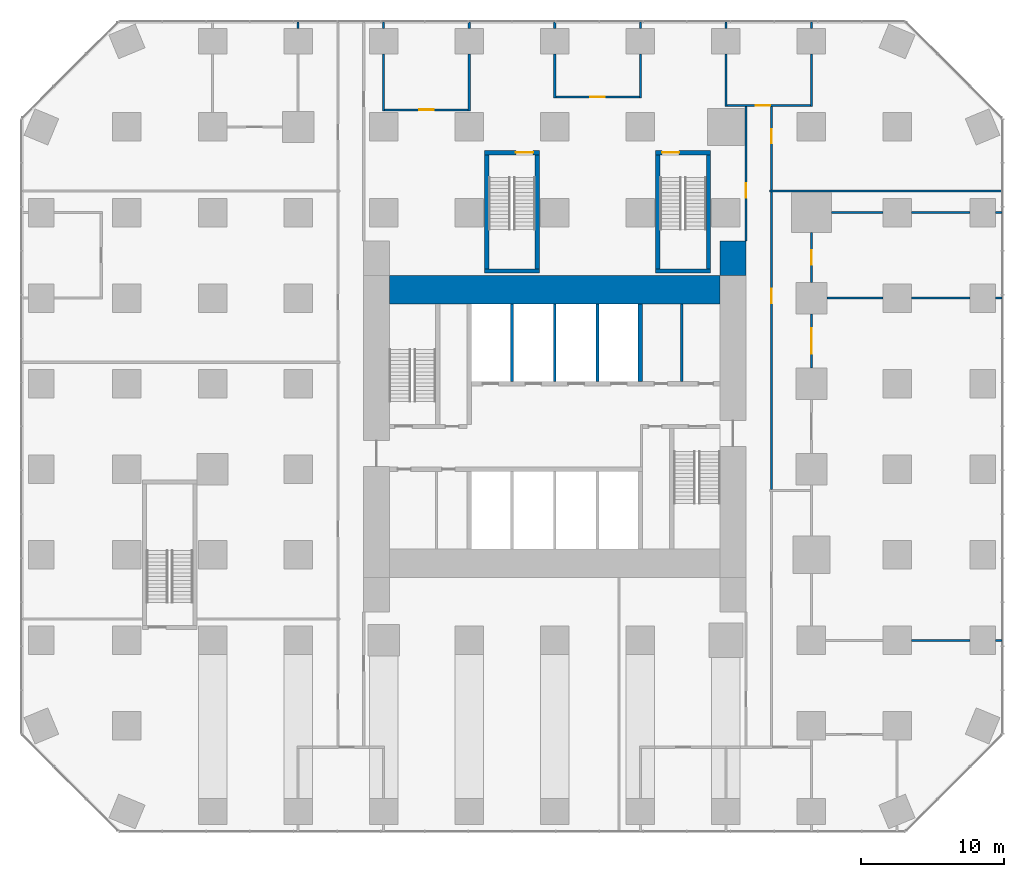
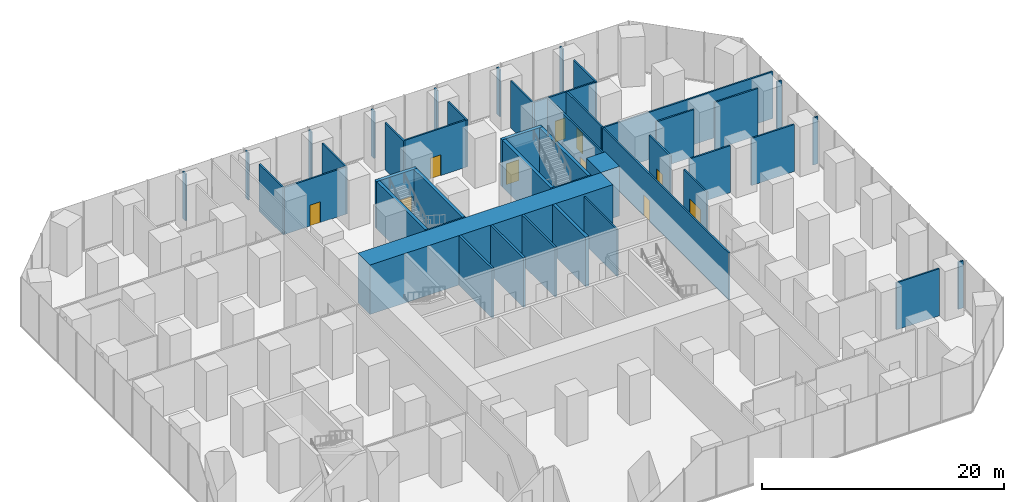
# One storey, part 13 of 15: 45 walls, 10 doors, 10 openings.
"""IFC4 building model written with IfcOpenShell, lengths in metres."""

from ifc_helpers import new_model, si_unit, direction, frame, frame_2d, origin, place, context, subcontext, project, spatial, rectangle, extrude, material, layer, layer_set, type_object, element, fill, save


model = new_model("IFC4")

# Units and contexts
model_context = context("Model", 3, precision=1e-05, world=origin(), true_north=direction((0.0, 1.0)))
body_context = subcontext(model_context, "Body", "Model", "MODEL_VIEW")
ifc_project = project(units=[si_unit("LENGTHUNIT", "METRE"), si_unit("AREAUNIT", "SQUARE_METRE"), si_unit("VOLUMEUNIT", "CUBIC_METRE"), si_unit("PLANEANGLEUNIT", "RADIAN"), si_unit("MASSUNIT", "GRAM", prefix="KILO")], contexts=[model_context])

# Site, building, storey
site_placement = place(None, origin())
site = spatial("IfcSite", under=ifc_project, at=site_placement, CompositionType="ELEMENT")
building_placement = place(site_placement, origin())
building = spatial("IfcBuilding", under=site, at=building_placement, Name="Highveld Stack Headquarters", CompositionType="ELEMENT")
storey_placement = place(building_placement, frame((0.0, 0.0, 6.0)))
storey = spatial("IfcBuildingStorey", under=building, at=storey_placement, Name="L01", CompositionType="ELEMENT", Elevation=6.0)

# Walls
ifc_material_1 = material(Name="Concrete C60/75", Category="concrete")
ifc_layer_1 = layer(ifc_material_1, 2.0)
ifc_layer_set_1 = layer_set([ifc_layer_1], Name="Concrete C60/75")
wall_type_1 = type_object("IfcWallType", Name="CORE WALL 2000 C60/75", PredefinedType="SHEAR", material=ifc_layer_set_1)
wall_1_placement = place(storey_placement, frame((-5.60009765625, 12.60009765625, 0.0), z_axis=(0.0, 0.0, 1.0), x_axis=(1.0, 0.0, 0.0)))
element("IfcWall", 1, at=wall_1_placement, inside=storey, type_object=wall_type_1, Name="Core wall N L01", PredefinedType="SHEAR", context=body_context, shape_type="SweptSolid", body=[
    extrude(rectangle(XDim=23.2001953125, YDim=2.0, at=frame_2d((11.60009765625, 0.0))), origin(), (0.0, 0.0, 1.0), 5.0),
])
ifc_material_2 = material(Name="Concrete C60/75", Category="concrete")
ifc_layer_2 = layer(ifc_material_2, 0.300048828125)
ifc_layer_set_2 = layer_set([ifc_layer_2], Name="Concrete C60/75")
wall_type_2 = type_object("IfcWallType", Name="CORE WALL 300 C60/75", PredefinedType="SHEAR", material=ifc_layer_set_2)
wall_2_placement = place(storey_placement, frame((12.0, 6.14990234375, 0.0), z_axis=(0.0, 0.0, 1.0), x_axis=(0.0, 1.0, 0.0)))
element("IfcWall", 2, at=wall_2_placement, inside=storey, type_object=wall_type_2, Name="Core wall I-X12N L01", PredefinedType="SHEAR", context=body_context, shape_type="SweptSolid", body=[
    extrude(rectangle(XDim=5.4501953125, YDim=0.300048828125, at=frame_2d((2.72509765625, 0.0))), origin(), (0.0, 0.0, 1.0), 5.0),
])
ifc_material_3 = material(Name="Concrete C60/75", Category="concrete")
ifc_layer_3 = layer(ifc_material_3, 1.800048828125)
ifc_layer_set_3 = layer_set([ifc_layer_3], Name="Concrete C60/75")
wall_type_3 = type_object("IfcWallType", Name="CORE WING WALL 1800 C60/75", PredefinedType="SHEAR", material=ifc_layer_set_3)
wall_3_placement = place(storey_placement, frame((18.5, 13.60009765625, 0.0), z_axis=(0.0, 0.0, 1.0), x_axis=(0.0, 1.0, 0.0)))
element("IfcWall", 3, at=wall_3_placement, inside=storey, type_object=wall_type_3, Name="Core wing wall EN L01", PredefinedType="SHEAR", context=body_context, shape_type="SweptSolid", body=[
    extrude(rectangle(XDim=2.39990234375, YDim=1.800048828125, at=frame_2d((1.199951171875, 0.0))), origin(), (0.0, 0.0, 1.0), 5.0),
])
ifc_material_4 = material(Name="Concrete blockwork, fair-faced", Category="masonry")
ifc_layer_4 = layer(ifc_material_4, 0.199951171875)
ifc_layer_set_4 = layer_set([ifc_layer_4], Name="Concrete blockwork, fair-faced")
wall_type_4 = type_object("IfcWallType", Name="LIFT SHAFT ENCLOSURE WALL 200 BLOCKWORK", PredefinedType="SOLIDWALL", material=ifc_layer_set_4)
for number, where, z_axis, x_axis, name in (
    (4, (3.0, 6.14990234375, 0.0), (0.0, 0.0, 1.0), (0.0, 1.0, 0.0), "Lift shaft wall L01"),
    (5, (6.0, 6.14990234375, 0.0), (0.0, 0.0, 1.0), (0.0, 1.0, 0.0), "Lift shaft wall L01"),
    (6, (9.0, 6.14990234375, 0.0), (0.0, 0.0, 1.0), (0.0, 1.0, 0.0), "Lift shaft wall L01"),
):
    element("IfcWall", number, at=place(storey_placement, frame(where, z_axis=z_axis, x_axis=x_axis)), inside=storey, type_object=wall_type_4, Name=name, PredefinedType="SOLIDWALL", context=body_context, shape_type="SweptSolid", body=[
        extrude(rectangle(XDim=5.4501953125, YDim=0.199951171875, at=frame_2d((2.72509765625, 0.0))), origin(), (0.0, 0.0, 1.0), 5.0),
    ])
ifc_material_5 = material(Name="Gypsum plasterboard on steel studs", Category="steel")
ifc_layer_5 = layer(ifc_material_5, 0.14990234375)
ifc_layer_set_5 = layer_set([ifc_layer_5], Name="Gypsum plasterboard on steel studs")
wall_type_5 = type_object("IfcWallType", Name="PARTITION 150 PLASTERBOARD", PredefinedType="PARTITIONING", material=ifc_layer_set_5)
wall_4_placement = place(storey_placement, frame((31.0, -12.0, 0.0), z_axis=(0.0, 0.0, 1.0), x_axis=(1.0, 0.0, 0.0)))
element("IfcWall", 7, at=wall_4_placement, inside=storey, type_object=wall_type_5, Name="Partition Staff restaurant L01", PredefinedType="PARTITIONING", context=body_context, shape_type="SweptSolid", body=[
    extrude(rectangle(XDim=4.10009765625, YDim=0.14990234375, at=frame_2d((2.050048828125, 0.0))), origin(), (0.0, 0.0, 1.0), 4.75),
])
wall_5_placement = place(storey_placement, frame((36.89990234375, -12.0, 0.0), z_axis=(0.0, 0.0, 1.0), x_axis=(1.0, 0.0, 0.0)))
element("IfcWall", 8, at=wall_5_placement, inside=storey, type_object=wall_type_5, Name="Partition Staff restaurant L01", PredefinedType="PARTITIONING", context=body_context, shape_type="SweptSolid", body=[
    extrude(rectangle(XDim=0.47509765625, YDim=0.14990234375, at=frame_2d((0.237548828125, 0.0))), origin(), (0.0, 0.0, 1.0), 4.75),
])
wall_6_placement = place(storey_placement, frame((25.10009765625, 12.0, 0.0), z_axis=(0.0, 0.0, 1.0), x_axis=(1.0, 0.0, 0.0)))
element("IfcWall", 9, at=wall_6_placement, inside=storey, type_object=wall_type_5, Name="Partition Kitchen / Staff restaurant L01", PredefinedType="PARTITIONING", context=body_context, shape_type="SweptSolid", body=[
    extrude(rectangle(XDim=3.89990234375, YDim=0.14990234375, at=frame_2d((1.949951171875, 0.0))), origin(), (0.0, 0.0, 1.0), 4.75),
])
wall_7_placement = place(storey_placement, frame((31.0, 12.0, 0.0), z_axis=(0.0, 0.0, 1.0), x_axis=(1.0, 0.0, 0.0)))
element("IfcWall", 10, at=wall_7_placement, inside=storey, type_object=wall_type_5, Name="Partition Kitchen / Staff restaurant L01", PredefinedType="PARTITIONING", context=body_context, shape_type="SweptSolid", body=[
    extrude(rectangle(XDim=4.10009765625, YDim=0.14990234375, at=frame_2d((2.050048828125, 0.0))), origin(), (0.0, 0.0, 1.0), 4.75),
])
wall_8_placement = place(storey_placement, frame((36.89990234375, 12.0, 0.0), z_axis=(0.0, 0.0, 1.0), x_axis=(1.0, 0.0, 0.0)))
element("IfcWall", 11, at=wall_8_placement, inside=storey, type_object=wall_type_5, Name="Partition Kitchen / Staff restaurant L01", PredefinedType="PARTITIONING", context=body_context, shape_type="SweptSolid", body=[
    extrude(rectangle(XDim=0.47509765625, YDim=0.14990234375, at=frame_2d((0.237548828125, 0.0))), origin(), (0.0, 0.0, 1.0), 4.75),
])
wall_9_placement = place(storey_placement, frame((25.39990234375, 18.0, 0.0), z_axis=(0.0, 0.0, 1.0), x_axis=(1.0, 0.0, 0.0)))
element("IfcWall", 12, at=wall_9_placement, inside=storey, type_object=wall_type_5, Name="Partition Kitchen L01", PredefinedType="PARTITIONING", context=body_context, shape_type="SweptSolid", body=[
    extrude(rectangle(XDim=3.60009765625, YDim=0.14990234375, at=frame_2d((1.800048828125, 0.0))), origin(), (0.0, 0.0, 1.0), 4.75),
])
wall_10_placement = place(storey_placement, frame((31.0, 18.0, 0.0), z_axis=(0.0, 0.0, 1.0), x_axis=(1.0, 0.0, 0.0)))
element("IfcWall", 13, at=wall_10_placement, inside=storey, type_object=wall_type_5, Name="Partition Kitchen L01", PredefinedType="PARTITIONING", context=body_context, shape_type="SweptSolid", body=[
    extrude(rectangle(XDim=4.10009765625, YDim=0.14990234375, at=frame_2d((2.050048828125, 0.0))), origin(), (0.0, 0.0, 1.0), 4.75),
])
wall_11_placement = place(storey_placement, frame((36.89990234375, 18.0, 0.0), z_axis=(0.0, 0.0, 1.0), x_axis=(1.0, 0.0, 0.0)))
element("IfcWall", 14, at=wall_11_placement, inside=storey, type_object=wall_type_5, Name="Partition Kitchen L01", PredefinedType="PARTITIONING", context=body_context, shape_type="SweptSolid", body=[
    extrude(rectangle(XDim=0.47509765625, YDim=0.14990234375, at=frame_2d((0.237548828125, 0.0))), origin(), (0.0, 0.0, 1.0), 4.75),
])

# Wall, opening, door
wall_12_placement = place(storey_placement, frame((-5.925048828125, 25.199951171875, 0.0), z_axis=(0.0, 0.0, 1.0), x_axis=(1.0, 0.0, 0.0)))
wall_12 = element("IfcWall", 15, at=wall_12_placement, inside=storey, type_object=wall_type_5, Name="Partition Tea kitchen L01", PredefinedType="PARTITIONING", context=body_context, shape_type="SweptSolid", body=[
    extrude(rectangle(XDim=5.85009765625, YDim=0.14990234375, at=frame_2d((2.925048828125, 0.0))), origin(), (0.0, 0.0, 1.0), 4.75),
])
opening_1_placement = place(wall_12_placement, frame((2.425048828125, 0.0, 0.0)))
opening_1 = element("IfcOpeningElement", 16, at=opening_1_placement, cuts=wall_12, Name="Opening L01-23", PredefinedType="OPENING", context=body_context, shape_type="SweptSolid", body=[
    extrude(rectangle(XDim=1.0, YDim=2.10009765625, at=frame_2d((0.5, 1.050048828125))), frame((0.0, 0.0849609375, 0.0), z_axis=(0.0, -1.0, 0.0), x_axis=(1.0, 0.0, 0.0)), (0.0, 0.0, 1.0), 0.169921875),
])
ifc_material_6 = material(Name="Timber door, oiled ash", Category="wood")
door_type_1 = type_object("IfcDoorType", Name="ROOM DOOR D6 1000x2100", OperationType="SINGLE_SWING_LEFT", PredefinedType="DOOR", material=ifc_material_6)
door_1_placement = place(opening_1_placement, origin())
door_1 = element("IfcDoor", 17, at=door_1_placement, inside=storey, type_object=door_type_1, Name="Tea kitchen door 1 L01", OperationType="SINGLE_SWING_RIGHT", OverallHeight=2.10009765625, OverallWidth=1.0, PredefinedType="DOOR", context=body_context, shape_type="SweptSolid", body=[
    extrude(rectangle(XDim=1.0, YDim=2.10009765625, at=frame_2d((0.5, 1.050048828125))), frame((0.0, 0.02490234375, 0.0), z_axis=(0.0, -1.0, 0.0), x_axis=(1.0, 0.0, 0.0)), (0.0, 0.0, 1.0), 0.050048828125),
])
fill(opening_1, door_1)

wall_13_placement = place(storey_placement, frame((18.074951171875, 25.5, 0.0), z_axis=(0.0, 0.0, 1.0), x_axis=(1.0, 0.0, 0.0)))
wall_13 = element("IfcWall", 18, at=wall_13_placement, inside=storey, type_object=wall_type_5, Name="Partition Quiet room L01", PredefinedType="PARTITIONING", context=body_context, shape_type="SweptSolid", body=[
    extrude(rectangle(XDim=5.85009765625, YDim=0.14990234375, at=frame_2d((2.925048828125, 0.0))), origin(), (0.0, 0.0, 1.0), 4.75),
])
opening_2_placement = place(wall_13_placement, frame((2.02490234375, 0.0, 0.0)))
opening_2 = element("IfcOpeningElement", 19, at=opening_2_placement, cuts=wall_13, Name="Opening L01-25", PredefinedType="OPENING", context=body_context, shape_type="SweptSolid", body=[
    extrude(rectangle(XDim=1.0, YDim=2.10009765625, at=frame_2d((0.5, 1.050048828125))), frame((0.0, 0.0849609375, 0.0), z_axis=(0.0, -1.0, 0.0), x_axis=(1.0, 0.0, 0.0)), (0.0, 0.0, 1.0), 0.169921875),
])
door_2_placement = place(opening_2_placement, origin())
door_2 = element("IfcDoor", 20, at=door_2_placement, inside=storey, type_object=door_type_1, Name="Quiet room door 1 L01", OperationType="SINGLE_SWING_LEFT", OverallHeight=2.10009765625, OverallWidth=1.0, PredefinedType="DOOR", context=body_context, shape_type="SweptSolid", body=[
    extrude(rectangle(XDim=1.0, YDim=2.10009765625, at=frame_2d((0.5, 1.050048828125))), frame((0.0, 0.02490234375, 0.0), z_axis=(0.0, -1.0, 0.0), x_axis=(1.0, 0.0, 0.0)), (0.0, 0.0, 1.0), 0.050048828125),
])
fill(opening_2, door_2)

wall_14_placement = place(storey_placement, frame((6.074951171875, 26.10009765625, 0.0), z_axis=(0.0, 0.0, 1.0), x_axis=(1.0, 0.0, 0.0)))
wall_14 = element("IfcWall", 21, at=wall_14_placement, inside=storey, type_object=wall_type_5, Name="Partition Focus room L01", PredefinedType="PARTITIONING", context=body_context, shape_type="SweptSolid", body=[
    extrude(rectangle(XDim=5.85009765625, YDim=0.14990234375, at=frame_2d((2.925048828125, 0.0))), origin(), (0.0, 0.0, 1.0), 4.75),
])
opening_3_placement = place(wall_14_placement, frame((2.425048828125, 0.0, 0.0)))
opening_3 = element("IfcOpeningElement", 22, at=opening_3_placement, cuts=wall_14, Name="Opening L01-24", PredefinedType="OPENING", context=body_context, shape_type="SweptSolid", body=[
    extrude(rectangle(XDim=1.0, YDim=2.10009765625, at=frame_2d((0.5, 1.050048828125))), frame((0.0, 0.0849609375, 0.0), z_axis=(0.0, -1.0, 0.0), x_axis=(1.0, 0.0, 0.0)), (0.0, 0.0, 1.0), 0.169921875),
])
door_3_placement = place(opening_3_placement, origin())
door_3 = element("IfcDoor", 23, at=door_3_placement, inside=storey, type_object=door_type_1, Name="Focus room door 1 L01", OperationType="SINGLE_SWING_LEFT", OverallHeight=2.10009765625, OverallWidth=1.0, PredefinedType="DOOR", context=body_context, shape_type="SweptSolid", body=[
    extrude(rectangle(XDim=1.0, YDim=2.10009765625, at=frame_2d((0.5, 1.050048828125))), frame((0.0, 0.02490234375, 0.0), z_axis=(0.0, -1.0, 0.0), x_axis=(1.0, 0.0, 0.0)), (0.0, 0.0, 1.0), 0.050048828125),
])
fill(opening_3, door_3)

# Walls
wall_15_placement = place(storey_placement, frame((-12.0, 30.89990234375, 0.0), z_axis=(0.0, 0.0, 1.0), x_axis=(0.0, 1.0, 0.0)))
element("IfcWall", 24, at=wall_15_placement, inside=storey, type_object=wall_type_5, Name="Partition Meeting room L01", PredefinedType="PARTITIONING", context=body_context, shape_type="SweptSolid", body=[
    extrude(rectangle(XDim=0.47509765625, YDim=0.14990234375, at=frame_2d((0.237548828125, 0.0))), origin(), (0.0, 0.0, 1.0), 4.75),
])
wall_16_placement = place(storey_placement, frame((-6.0, 25.125, 0.0), z_axis=(0.0, 0.0, 1.0), x_axis=(0.0, 1.0, 0.0)))
element("IfcWall", 25, at=wall_16_placement, inside=storey, type_object=wall_type_5, Name="Partition Tea kitchen L01", PredefinedType="PARTITIONING", context=body_context, shape_type="SweptSolid", body=[
    extrude(rectangle(XDim=3.97509765625, YDim=0.14990234375, at=frame_2d((1.987548828125, 0.0))), origin(), (0.0, 0.0, 1.0), 4.75),
])
wall_17_placement = place(storey_placement, frame((-6.0, 30.89990234375, 0.0), z_axis=(0.0, 0.0, 1.0), x_axis=(0.0, 1.0, 0.0)))
element("IfcWall", 26, at=wall_17_placement, inside=storey, type_object=wall_type_5, Name="Partition Tea kitchen L01", PredefinedType="PARTITIONING", context=body_context, shape_type="SweptSolid", body=[
    extrude(rectangle(XDim=0.47509765625, YDim=0.14990234375, at=frame_2d((0.237548828125, 0.0))), origin(), (0.0, 0.0, 1.0), 4.75),
])
wall_18_placement = place(storey_placement, frame((0.0, 25.125, 0.0), z_axis=(0.0, 0.0, 1.0), x_axis=(0.0, 1.0, 0.0)))
element("IfcWall", 27, at=wall_18_placement, inside=storey, type_object=wall_type_5, Name="Partition Tea kitchen L01", PredefinedType="PARTITIONING", context=body_context, shape_type="SweptSolid", body=[
    extrude(rectangle(XDim=3.97509765625, YDim=0.14990234375, at=frame_2d((1.987548828125, 0.0))), origin(), (0.0, 0.0, 1.0), 4.75),
])
wall_19_placement = place(storey_placement, frame((0.0, 30.89990234375, 0.0), z_axis=(0.0, 0.0, 1.0), x_axis=(0.0, 1.0, 0.0)))
element("IfcWall", 28, at=wall_19_placement, inside=storey, type_object=wall_type_5, Name="Partition Tea kitchen L01", PredefinedType="PARTITIONING", context=body_context, shape_type="SweptSolid", body=[
    extrude(rectangle(XDim=0.4501953125, YDim=0.14990234375, at=frame_2d((0.22509765625, 0.0))), origin(), (0.0, 0.0, 1.0), 4.75),
])
wall_20_placement = place(storey_placement, frame((6.0, 26.02490234375, 0.0), z_axis=(0.0, 0.0, 1.0), x_axis=(0.0, 1.0, 0.0)))
element("IfcWall", 29, at=wall_20_placement, inside=storey, type_object=wall_type_5, Name="Partition Focus room L01", PredefinedType="PARTITIONING", context=body_context, shape_type="SweptSolid", body=[
    extrude(rectangle(XDim=3.0751953125, YDim=0.14990234375, at=frame_2d((1.53759765625, 0.0))), origin(), (0.0, 0.0, 1.0), 4.75),
])
wall_21_placement = place(storey_placement, frame((6.0, 30.89990234375, 0.0), z_axis=(0.0, 0.0, 1.0), x_axis=(0.0, 1.0, 0.0)))
element("IfcWall", 30, at=wall_21_placement, inside=storey, type_object=wall_type_5, Name="Partition Focus room L01", PredefinedType="PARTITIONING", context=body_context, shape_type="SweptSolid", body=[
    extrude(rectangle(XDim=0.4501953125, YDim=0.14990234375, at=frame_2d((0.22509765625, 0.0))), origin(), (0.0, 0.0, 1.0), 4.75),
])
wall_22_placement = place(storey_placement, frame((12.0, 26.02490234375, 0.0), z_axis=(0.0, 0.0, 1.0), x_axis=(0.0, 1.0, 0.0)))
element("IfcWall", 31, at=wall_22_placement, inside=storey, type_object=wall_type_5, Name="Partition Focus room L01", PredefinedType="PARTITIONING", context=body_context, shape_type="SweptSolid", body=[
    extrude(rectangle(XDim=3.0751953125, YDim=0.14990234375, at=frame_2d((1.53759765625, 0.0))), origin(), (0.0, 0.0, 1.0), 4.75),
])
wall_23_placement = place(storey_placement, frame((12.0, 30.89990234375, 0.0), z_axis=(0.0, 0.0, 1.0), x_axis=(0.0, 1.0, 0.0)))
element("IfcWall", 32, at=wall_23_placement, inside=storey, type_object=wall_type_5, Name="Partition Focus room L01", PredefinedType="PARTITIONING", context=body_context, shape_type="SweptSolid", body=[
    extrude(rectangle(XDim=0.47509765625, YDim=0.14990234375, at=frame_2d((0.237548828125, 0.0))), origin(), (0.0, 0.0, 1.0), 4.75),
])
wall_24_placement = place(storey_placement, frame((18.0, 25.425048828125, 0.0), z_axis=(0.0, 0.0, 1.0), x_axis=(0.0, 1.0, 0.0)))
element("IfcWall", 33, at=wall_24_placement, inside=storey, type_object=wall_type_5, Name="Partition Quiet room L01", PredefinedType="PARTITIONING", context=body_context, shape_type="SweptSolid", body=[
    extrude(rectangle(XDim=3.675048828125, YDim=0.14990234375, at=frame_2d((1.83740234375, 0.0))), origin(), (0.0, 0.0, 1.0), 4.75),
])
wall_25_placement = place(storey_placement, frame((18.0, 30.89990234375, 0.0), z_axis=(0.0, 0.0, 1.0), x_axis=(0.0, 1.0, 0.0)))
element("IfcWall", 34, at=wall_25_placement, inside=storey, type_object=wall_type_5, Name="Partition Quiet room L01", PredefinedType="PARTITIONING", context=body_context, shape_type="SweptSolid", body=[
    extrude(rectangle(XDim=0.47509765625, YDim=0.14990234375, at=frame_2d((0.237548828125, 0.0))), origin(), (0.0, 0.0, 1.0), 4.75),
])

# Wall, opening, door
wall_26_placement = place(storey_placement, frame((24.0, 7.10009765625, 0.0), z_axis=(0.0, 0.0, 1.0), x_axis=(0.0, 1.0, 0.0)))
wall_26 = element("IfcWall", 35, at=wall_26_placement, inside=storey, type_object=wall_type_5, Name="Partition Staff restaurant L01", PredefinedType="PARTITIONING", context=body_context, shape_type="SweptSolid", body=[
    extrude(rectangle(XDim=3.7998046875, YDim=0.14990234375, at=frame_2d((1.89990234375, 0.0))), origin(), (0.0, 0.0, 1.0), 4.75),
])
opening_4_placement = place(wall_26_placement, frame((1.0, 0.0, 0.0)))
opening_4 = element("IfcOpeningElement", 36, at=opening_4_placement, cuts=wall_26, Name="Opening L01-15", PredefinedType="OPENING", context=body_context, shape_type="SweptSolid", body=[
    extrude(rectangle(XDim=1.800048828125, YDim=2.39990234375, at=frame_2d((0.89990234375, 1.199951171875))), frame((0.0, 0.0849609375, 0.0), z_axis=(0.0, -1.0, 0.0), x_axis=(1.0, 0.0, 0.0)), (0.0, 0.0, 1.0), 0.169921875),
])
ifc_material_7 = material(Name="Timber door, oiled ash", Category="wood")
door_type_2 = type_object("IfcDoorType", Name="DOUBLE DOOR D10 1800x2400", OperationType="DOUBLE_DOOR_SINGLE_SWING", PredefinedType="DOOR", material=ifc_material_7)
door_4_placement = place(opening_4_placement, origin())
door_4 = element("IfcDoor", 37, at=door_4_placement, inside=storey, type_object=door_type_2, Name="Staff restaurant door 2 L01", OperationType="DOUBLE_DOOR_SINGLE_SWING", OverallHeight=2.39990234375, OverallWidth=1.800048828125, PredefinedType="DOOR", context=body_context, shape_type="SweptSolid", body=[
    extrude(rectangle(XDim=1.800048828125, YDim=2.39990234375, at=frame_2d((0.89990234375, 1.199951171875))), frame((0.0, 0.02490234375, 0.0), z_axis=(0.0, -1.0, 0.0), x_axis=(1.0, 0.0, 0.0)), (0.0, 0.0, 1.0), 0.050048828125),
])
fill(opening_4, door_4)

wall_27_placement = place(storey_placement, frame((24.0, 13.10009765625, 0.0), z_axis=(0.0, 0.0, 1.0), x_axis=(0.0, 1.0, 0.0)))
wall_27 = element("IfcWall", 38, at=wall_27_placement, inside=storey, type_object=wall_type_5, Name="Partition Kitchen L01", PredefinedType="PARTITIONING", context=body_context, shape_type="SweptSolid", body=[
    extrude(rectangle(XDim=3.5, YDim=0.14990234375, at=frame_2d((1.75, 0.0))), origin(), (0.0, 0.0, 1.0), 4.75),
])
opening_5_placement = place(wall_27_placement, frame((1.25, 0.0, 0.0)))
opening_5 = element("IfcOpeningElement", 39, at=opening_5_placement, cuts=wall_27, Name="Opening L01-16", PredefinedType="OPENING", context=body_context, shape_type="SweptSolid", body=[
    extrude(rectangle(XDim=1.0, YDim=2.10009765625, at=frame_2d((0.5, 1.050048828125))), frame((0.0, 0.0849609375, 0.0), z_axis=(0.0, -1.0, 0.0), x_axis=(1.0, 0.0, 0.0)), (0.0, 0.0, 1.0), 0.169921875),
])
door_5_placement = place(opening_5_placement, origin())
door_5 = element("IfcDoor", 40, at=door_5_placement, inside=storey, type_object=door_type_1, Name="Kitchen door 1 L01", OperationType="SINGLE_SWING_RIGHT", OverallHeight=2.10009765625, OverallWidth=1.0, PredefinedType="DOOR", context=body_context, shape_type="SweptSolid", body=[
    extrude(rectangle(XDim=1.0, YDim=2.10009765625, at=frame_2d((0.5, 1.050048828125))), frame((0.0, 0.02490234375, 0.0), z_axis=(0.0, -1.0, 0.0), x_axis=(1.0, 0.0, 0.0)), (0.0, 0.0, 1.0), 0.050048828125),
])
fill(opening_5, door_5)

# Walls
wall_28_placement = place(storey_placement, frame((24.0, 25.425048828125, 0.0), z_axis=(0.0, 0.0, 1.0), x_axis=(0.0, 1.0, 0.0)))
element("IfcWall", 41, at=wall_28_placement, inside=storey, type_object=wall_type_5, Name="Partition Quiet room L01", PredefinedType="PARTITIONING", context=body_context, shape_type="SweptSolid", body=[
    extrude(rectangle(XDim=3.675048828125, YDim=0.14990234375, at=frame_2d((1.83740234375, 0.0))), origin(), (0.0, 0.0, 1.0), 4.75),
])
wall_29_placement = place(storey_placement, frame((24.0, 30.89990234375, 0.0), z_axis=(0.0, 0.0, 1.0), x_axis=(0.0, 1.0, 0.0)))
element("IfcWall", 42, at=wall_29_placement, inside=storey, type_object=wall_type_5, Name="Partition Quiet room L01", PredefinedType="PARTITIONING", context=body_context, shape_type="SweptSolid", body=[
    extrude(rectangle(XDim=0.47509765625, YDim=0.14990234375, at=frame_2d((0.237548828125, 0.0))), origin(), (0.0, 0.0, 1.0), 4.75),
])

# Wall, opening, door
wall_30_placement = place(storey_placement, frame((19.39990234375, 16.0, 0.0), z_axis=(0.0, 0.0, 1.0), x_axis=(0.0, 1.0, 0.0)))
wall_30 = element("IfcWall", 43, at=wall_30_placement, inside=storey, type_object=wall_type_5, Name="Partition office neighbourhood L01", PredefinedType="PARTITIONING", context=body_context, shape_type="SweptSolid", body=[
    extrude(rectangle(XDim=9.425048828125, YDim=0.14990234375, at=frame_2d((4.71240234375, 0.0))), origin(), (0.0, 0.0, 1.0), 4.75),
])
opening_6_placement = place(wall_30_placement, frame((3.050048828125, 0.0, 0.0)))
opening_6 = element("IfcOpeningElement", 44, at=opening_6_placement, cuts=wall_30, Name="Opening L01-33", PredefinedType="OPENING", context=body_context, shape_type="SweptSolid", body=[
    extrude(rectangle(XDim=1.0, YDim=2.10009765625, at=frame_2d((0.5, 1.050048828125))), frame((0.0, 0.0849609375, 0.0), z_axis=(0.0, -1.0, 0.0), x_axis=(1.0, 0.0, 0.0)), (0.0, 0.0, 1.0), 0.169921875),
])
door_6_placement = place(opening_6_placement, origin())
door_6 = element("IfcDoor", 45, at=door_6_placement, inside=storey, type_object=door_type_1, Name="Office neighbourhood door L01", OperationType="SINGLE_SWING_LEFT", OverallHeight=2.10009765625, OverallWidth=1.0, PredefinedType="DOOR", context=body_context, shape_type="SweptSolid", body=[
    extrude(rectangle(XDim=1.0, YDim=2.10009765625, at=frame_2d((0.5, 1.050048828125))), frame((0.0, 0.02490234375, 0.0), z_axis=(0.0, -1.0, 0.0), x_axis=(1.0, 0.0, 0.0)), (0.0, 0.0, 1.0), 0.050048828125),
])
fill(opening_6, door_6)

wall_31_placement = place(storey_placement, frame((21.199951171875, -1.425048828125, 0.0), z_axis=(0.0, 0.0, 1.0), x_axis=(0.0, 1.0, 0.0)))
wall_31 = element("IfcWall", 46, at=wall_31_placement, inside=storey, type_object=wall_type_5, Name="Partition office neighbourhood L01", PredefinedType="PARTITIONING", context=body_context, shape_type="SweptSolid", body=[
    extrude(rectangle(XDim=20.85009765625, YDim=0.14990234375, at=frame_2d((10.425048828125, 0.0))), origin(), (0.0, 0.0, 1.0), 4.75),
])
opening_7_placement = place(wall_31_placement, frame((13.074951171875, 0.0, 0.0)))
opening_7 = element("IfcOpeningElement", 47, at=opening_7_placement, cuts=wall_31, Name="Opening L01-30", PredefinedType="OPENING", context=body_context, shape_type="SweptSolid", body=[
    extrude(rectangle(XDim=1.0, YDim=2.10009765625, at=frame_2d((0.5, 1.050048828125))), frame((0.0, 0.0849609375, 0.0), z_axis=(0.0, -1.0, 0.0), x_axis=(1.0, 0.0, 0.0)), (0.0, 0.0, 1.0), 0.169921875),
])
door_7_placement = place(opening_7_placement, origin())
door_7 = element("IfcDoor", 48, at=door_7_placement, inside=storey, type_object=door_type_1, Name="Office neighbourhood door L01", OperationType="SINGLE_SWING_RIGHT", OverallHeight=2.10009765625, OverallWidth=1.0, PredefinedType="DOOR", context=body_context, shape_type="SweptSolid", body=[
    extrude(rectangle(XDim=1.0, YDim=2.10009765625, at=frame_2d((0.5, 1.050048828125))), frame((0.0, 0.02490234375, 0.0), z_axis=(0.0, -1.0, 0.0), x_axis=(1.0, 0.0, 0.0)), (0.0, 0.0, 1.0), 0.050048828125),
])
fill(opening_7, door_7)

wall_32_placement = place(storey_placement, frame((21.199951171875, 19.574951171875, 0.0), z_axis=(0.0, 0.0, 1.0), x_axis=(0.0, 1.0, 0.0)))
wall_32 = element("IfcWall", 49, at=wall_32_placement, inside=storey, type_object=wall_type_5, Name="Partition office neighbourhood L01", PredefinedType="PARTITIONING", context=body_context, shape_type="SweptSolid", body=[
    extrude(rectangle(XDim=5.85009765625, YDim=0.14990234375, at=frame_2d((2.925048828125, 0.0))), origin(), (0.0, 0.0, 1.0), 4.75),
])
opening_8_placement = place(wall_32_placement, frame((3.27587890625, 0.0, 0.0)))
opening_8 = element("IfcOpeningElement", 50, at=opening_8_placement, cuts=wall_32, Name="Opening L01-35", PredefinedType="OPENING", context=body_context, shape_type="SweptSolid", body=[
    extrude(rectangle(XDim=1.0, YDim=2.10009765625, at=frame_2d((0.5, 1.050048828125))), frame((0.0, 0.0849609375, 0.0), z_axis=(0.0, -1.0, 0.0), x_axis=(1.0, 0.0, 0.0)), (0.0, 0.0, 1.0), 0.169921875),
])
door_8_placement = place(opening_8_placement, origin())
door_8 = element("IfcDoor", 51, at=door_8_placement, inside=storey, type_object=door_type_1, Name="Office neighbourhood door L01", OperationType="SINGLE_SWING_RIGHT", OverallHeight=2.10009765625, OverallWidth=1.0, PredefinedType="DOOR", context=body_context, shape_type="SweptSolid", body=[
    extrude(rectangle(XDim=1.0, YDim=2.10009765625, at=frame_2d((0.5, 1.050048828125))), frame((0.0, 0.02490234375, 0.0), z_axis=(0.0, -1.0, 0.0), x_axis=(1.0, 0.0, 0.0)), (0.0, 0.0, 1.0), 0.050048828125),
])
fill(opening_8, door_8)

# Walls
wall_33_placement = place(storey_placement, frame((21.050048828125, 19.5, 0.0), z_axis=(0.0, 0.0, 1.0), x_axis=(1.0, 0.0, 0.0)))
element("IfcWall", 52, at=wall_33_placement, inside=storey, type_object=wall_type_5, Name="Partition office neighbourhood L01", PredefinedType="PARTITIONING", context=body_context, shape_type="SweptSolid", body=[
    extrude(rectangle(XDim=16.324951171875, YDim=0.14990234375, at=frame_2d((8.16259765625, 0.0))), origin(), (0.0, 0.0, 1.0), 4.75),
])
ifc_material_8 = material(Name="Concrete C40/50", Category="concrete")
ifc_layer_6 = layer(ifc_material_8, 0.300048828125)
ifc_layer_set_6 = layer_set([ifc_layer_6], Name="Concrete C40/50")
wall_type_6 = type_object("IfcWallType", Name="STAIR ENCLOSURE WALL 300", PredefinedType="SOLIDWALL", material=ifc_layer_set_6)
wall_34_placement = place(storey_placement, frame((13.074951171875, 13.89990234375, 0.0), z_axis=(0.0, 0.0, 1.0), x_axis=(1.0, 0.0, 0.0)))
element("IfcWall", 53, at=wall_34_placement, inside=storey, type_object=wall_type_6, Name="Stair PS2 enclosure S L01", PredefinedType="SOLIDWALL", context=body_context, shape_type="SweptSolid", body=[
    extrude(rectangle(XDim=3.85009765625, YDim=0.300048828125, at=frame_2d((1.925048828125, 0.0))), origin(), (0.0, 0.0, 1.0), 4.75),
])

# Wall, opening, door
wall_35_placement = place(storey_placement, frame((13.074951171875, 22.199951171875, 0.0), z_axis=(0.0, 0.0, 1.0), x_axis=(1.0, 0.0, 0.0)))
wall_35 = element("IfcWall", 54, at=wall_35_placement, inside=storey, type_object=wall_type_6, Name="Stair PS2 enclosure N L01", PredefinedType="SOLIDWALL", context=body_context, shape_type="SweptSolid", body=[
    extrude(rectangle(XDim=3.85009765625, YDim=0.300048828125, at=frame_2d((1.925048828125, 0.0))), origin(), (0.0, 0.0, 1.0), 4.75),
])
opening_9_placement = place(wall_35_placement, frame((0.449951171875, 0.0, 0.0)))
opening_9 = element("IfcOpeningElement", 55, at=opening_9_placement, cuts=wall_35, Name="Opening L01-12", PredefinedType="OPENING", context=body_context, shape_type="SweptSolid", body=[
    extrude(rectangle(XDim=1.199951171875, YDim=2.10009765625, at=frame_2d((0.60009765625, 1.050048828125))), frame((0.0, 0.159912109375, 0.0), z_axis=(0.0, -1.0, 0.0), x_axis=(1.0, 0.0, 0.0)), (0.0, 0.0, 1.0), 0.320068359375),
])
ifc_material_9 = material(Name="Steel fire door", Category="steel")
door_type_3 = type_object("IfcDoorType", Name="STAIR FIRE DOOR D3 1200x2100", OperationType="SINGLE_SWING_LEFT", PredefinedType="DOOR", material=ifc_material_9)
door_9_placement = place(opening_9_placement, origin())
door_9 = element("IfcDoor", 56, at=door_9_placement, inside=storey, type_object=door_type_3, Name="Stair PS2 door L01", OperationType="SINGLE_SWING_LEFT", OverallHeight=2.10009765625, OverallWidth=1.199951171875, PredefinedType="DOOR", context=body_context, shape_type="SweptSolid", body=[
    extrude(rectangle(XDim=1.199951171875, YDim=2.10009765625, at=frame_2d((0.60009765625, 1.050048828125))), frame((0.0, 0.02490234375, 0.0), z_axis=(0.0, -1.0, 0.0), x_axis=(1.0, 0.0, 0.0)), (0.0, 0.0, 1.0), 0.050048828125),
])
fill(opening_9, door_9)

# Walls
for number, where, z_axis, x_axis, name in (
    (57, (13.22509765625, 14.050048828125, 0.0), (0.0, 0.0, 1.0), (0.0, 1.0, 0.0), "Stair PS2 enclosure W L01"),
    (58, (16.77490234375, 14.050048828125, 0.0), (0.0, 0.0, 1.0), (0.0, 1.0, 0.0), "Stair PS2 enclosure E L01"),
):
    element("IfcWall", number, at=place(storey_placement, frame(where, z_axis=z_axis, x_axis=x_axis)), inside=storey, type_object=wall_type_6, Name=name, PredefinedType="SOLIDWALL", context=body_context, shape_type="SweptSolid", body=[
        extrude(rectangle(XDim=8.0, YDim=0.300048828125, at=frame_2d((4.0, 0.0))), origin(), (0.0, 0.0, 1.0), 4.75),
    ])
wall_36_placement = place(storey_placement, frame((1.074951171875, 13.89990234375, 0.0), z_axis=(0.0, 0.0, 1.0), x_axis=(1.0, 0.0, 0.0)))
element("IfcWall", 59, at=wall_36_placement, inside=storey, type_object=wall_type_6, Name="Stair PS3 enclosure S L01", PredefinedType="SOLIDWALL", context=body_context, shape_type="SweptSolid", body=[
    extrude(rectangle(XDim=3.85009765625, YDim=0.300048828125, at=frame_2d((1.925048828125, 0.0))), origin(), (0.0, 0.0, 1.0), 4.75),
])

# Wall, opening, door
wall_37_placement = place(storey_placement, frame((1.074951171875, 22.199951171875, 0.0), z_axis=(0.0, 0.0, 1.0), x_axis=(1.0, 0.0, 0.0)))
wall_37 = element("IfcWall", 60, at=wall_37_placement, inside=storey, type_object=wall_type_6, Name="Stair PS3 enclosure N L01", PredefinedType="SOLIDWALL", context=body_context, shape_type="SweptSolid", body=[
    extrude(rectangle(XDim=3.85009765625, YDim=0.300048828125, at=frame_2d((1.925048828125, 0.0))), origin(), (0.0, 0.0, 1.0), 4.75),
])
opening_10_placement = place(wall_37_placement, frame((2.199951171875, 0.0, 0.0)))
opening_10 = element("IfcOpeningElement", 61, at=opening_10_placement, cuts=wall_37, Name="Opening L01-13", PredefinedType="OPENING", context=body_context, shape_type="SweptSolid", body=[
    extrude(rectangle(XDim=1.199951171875, YDim=2.10009765625, at=frame_2d((0.60009765625, 1.050048828125))), frame((0.0, 0.159912109375, 0.0), z_axis=(0.0, -1.0, 0.0), x_axis=(1.0, 0.0, 0.0)), (0.0, 0.0, 1.0), 0.320068359375),
])
door_10_placement = place(opening_10_placement, origin())
door_10 = element("IfcDoor", 62, at=door_10_placement, inside=storey, type_object=door_type_3, Name="Stair PS3 door L01", OperationType="SINGLE_SWING_RIGHT", OverallHeight=2.10009765625, OverallWidth=1.199951171875, PredefinedType="DOOR", context=body_context, shape_type="SweptSolid", body=[
    extrude(rectangle(XDim=1.199951171875, YDim=2.10009765625, at=frame_2d((0.60009765625, 1.050048828125))), frame((0.0, 0.02490234375, 0.0), z_axis=(0.0, -1.0, 0.0), x_axis=(1.0, 0.0, 0.0)), (0.0, 0.0, 1.0), 0.050048828125),
])
fill(opening_10, door_10)

# Walls
for number, where, z_axis, x_axis, name in (
    (63, (1.22509765625, 14.050048828125, 0.0), (0.0, 0.0, 1.0), (0.0, 1.0, 0.0), "Stair PS3 enclosure W L01"),
    (64, (4.77490234375, 14.050048828125, 0.0), (0.0, 0.0, 1.0), (0.0, 1.0, 0.0), "Stair PS3 enclosure E L01"),
):
    element("IfcWall", number, at=place(storey_placement, frame(where, z_axis=z_axis, x_axis=x_axis)), inside=storey, type_object=wall_type_6, Name=name, PredefinedType="SOLIDWALL", context=body_context, shape_type="SweptSolid", body=[
        extrude(rectangle(XDim=8.0, YDim=0.300048828125, at=frame_2d((4.0, 0.0))), origin(), (0.0, 0.0, 1.0), 4.75),
    ])
ifc_material_10 = material(Name="Concrete blockwork, tiled", Category="masonry")
ifc_layer_7 = layer(ifc_material_10, 0.14990234375)
ifc_layer_set_7 = layer_set([ifc_layer_7], Name="Concrete blockwork, tiled")
wall_type_7 = type_object("IfcWallType", Name="WC PARTITION 150", PredefinedType="PLUMBINGWALL", material=ifc_layer_set_7)
wall_38_placement = place(storey_placement, frame((14.89990234375, 6.14990234375, 0.0), z_axis=(0.0, 0.0, 1.0), x_axis=(0.0, 1.0, 0.0)))
element("IfcWall", 65, at=wall_38_placement, inside=storey, type_object=wall_type_7, Name="Toilet partition L01", PredefinedType="PLUMBINGWALL", context=body_context, shape_type="SweptSolid", body=[
    extrude(rectangle(XDim=5.4501953125, YDim=0.14990234375, at=frame_2d((2.72509765625, 0.0))), origin(), (0.0, 0.0, 1.0), 4.75),
])

save(model, "model.ifc")
